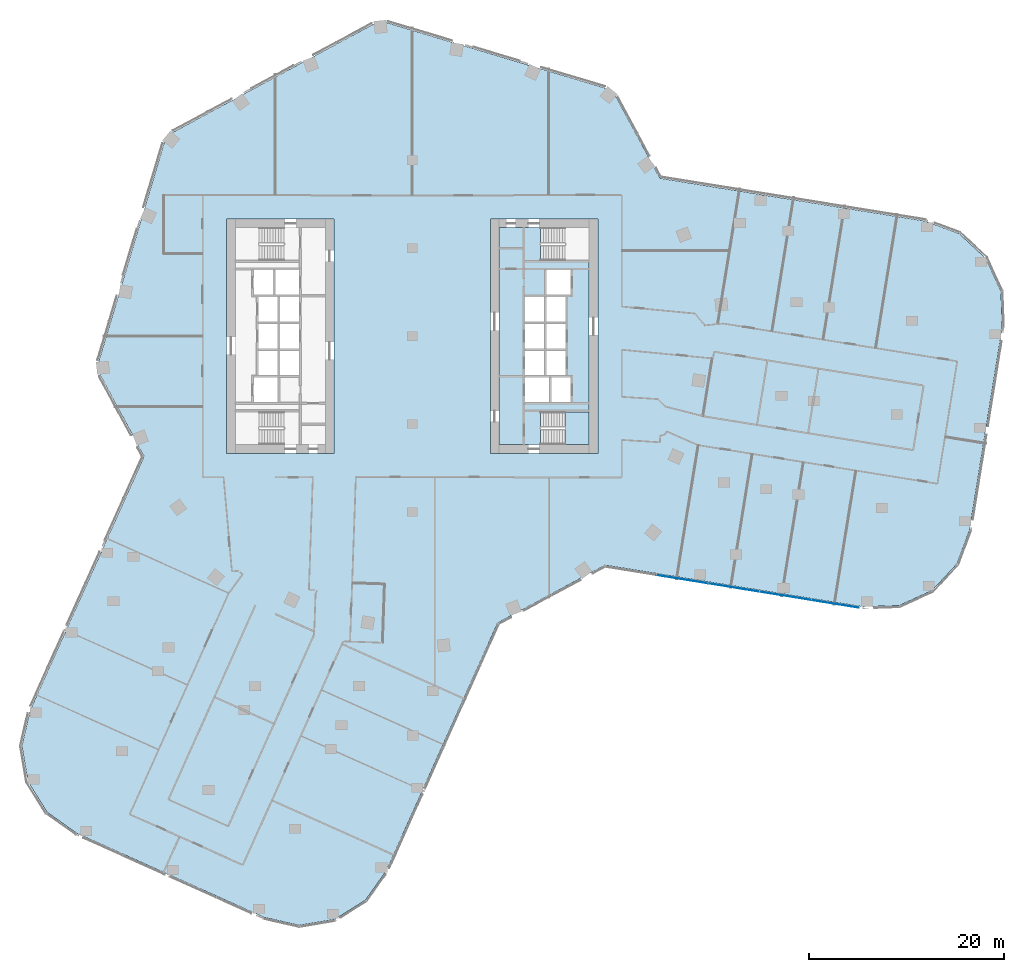
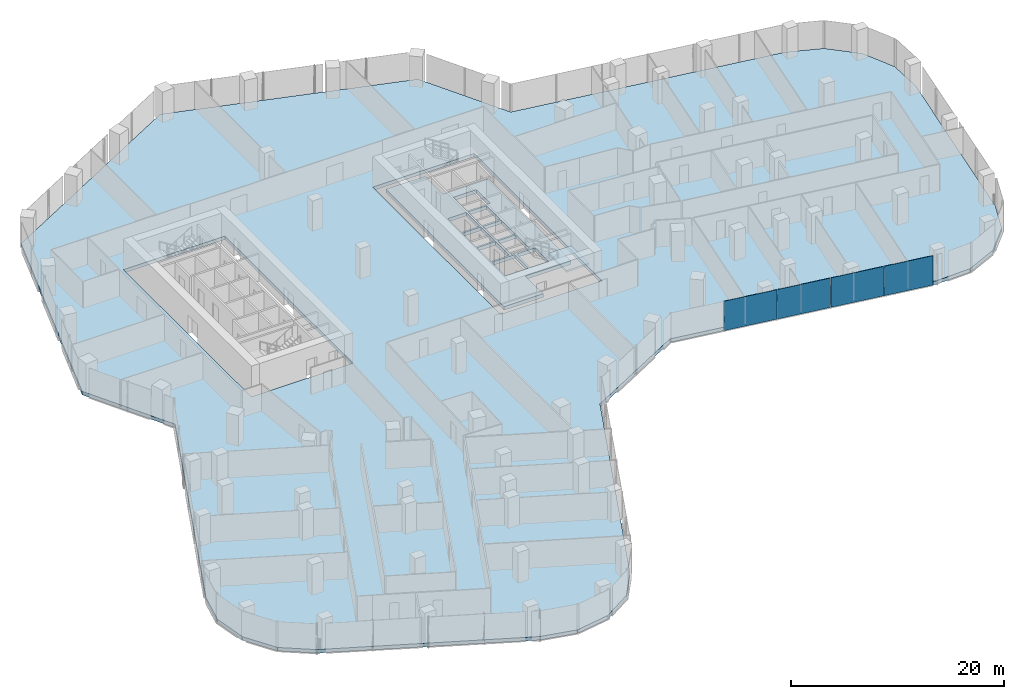
# One storey, part 21 of 34: 4 plates, 3 slabs, 2 elements without a shape of their own.
"""IFC4 building model written with IfcOpenShell, lengths in metres."""

from ifc_helpers import new_model, si_unit, direction, frame, origin, origin_2d, place, context, subcontext, project, spatial, polyline, rectangle, outline, extrude, material, layer, layer_set, type_object, element, aggregate, save


model = new_model("IFC4")

# Units and contexts
model_context = context("Model", 3, precision=1e-05, world=origin(), true_north=direction((0.0, 1.0)))
body_context = subcontext(model_context, "Body", "Model", "MODEL_VIEW")
ifc_project = project(units=[si_unit("LENGTHUNIT", "METRE"), si_unit("AREAUNIT", "SQUARE_METRE"), si_unit("VOLUMEUNIT", "CUBIC_METRE"), si_unit("PLANEANGLEUNIT", "RADIAN"), si_unit("MASSUNIT", "GRAM", prefix="KILO")], contexts=[model_context])

# Site, building, storey
site_placement = place(None, origin())
site = spatial("IfcSite", under=ifc_project, at=site_placement, CompositionType="ELEMENT")
building_placement = place(site_placement, origin())
building = spatial("IfcBuilding", under=site, at=building_placement, Name="Orlundy Tower", CompositionType="ELEMENT")
storey_placement = place(building_placement, frame((0.0, 0.0, 127.199951171875)))
storey = spatial("IfcBuildingStorey", under=building, at=storey_placement, Name="L32", CompositionType="ELEMENT", Elevation=127.199951171875)

# Curtain wall, plates
ifc_material_1 = material(Name="Aluminium bronze anodised", Category="aluminium")
curtain_wall_type = type_object("IfcCurtainWallType", Name="CW1 wall", PredefinedType="NOTDEFINED", material=ifc_material_1)
curtain_wall_placement = place(storey_placement, origin())
curtain_wall = element("IfcCurtainWall", 1, at=curtain_wall_placement, inside=storey, type_object=curtain_wall_type, Name="CW1 run 016", PredefinedType="NOTDEFINED")
ifc_material_2 = material(Name="Tinted glass", Category="glass")
ifc_layer_1 = layer(ifc_material_2, 0.031982421875)
ifc_layer_set_1 = layer_set([ifc_layer_1], Name="CW1 glass panel 32")
plate_type = type_object("IfcPlateType", Name="CW1 glass panel 32", PredefinedType="CURTAIN_PANEL", material=ifc_layer_set_1)
plate_1_placement = place(storey_placement, frame((43.31005859375, -27.413818359375, -0.27978515625), z_axis=(0.0, 0.0, 1.0), x_axis=(-0.987228432558, 0.159311085453, 0.0)))
plate_1 = element("IfcPlate", 2, at=plate_1_placement, type_object=plate_type, Name="CW1 panel", PredefinedType="CURTAIN_PANEL", context=body_context, shape_type="SweptSolid", body=[
    extrude(rectangle(XDim=4.91259765625, YDim=0.031982421875, at=origin_2d()), origin(), (0.0, 0.0, 1.0), 3.3798828125),
])
plate_2_placement = place(storey_placement, frame((38.21630859375, -26.591796875, -0.27978515625), z_axis=(0.0, 0.0, 1.0), x_axis=(-0.987228432558, 0.159311085453, 0.0)))
plate_2 = element("IfcPlate", 3, at=plate_2_placement, type_object=plate_type, Name="CW1 panel", PredefinedType="CURTAIN_PANEL", context=body_context, shape_type="SweptSolid", body=[
    extrude(rectangle(XDim=5.306884765625, YDim=0.031982421875, at=origin_2d()), origin(), (0.0, 0.0, 1.0), 3.3798828125),
])
plate_3_placement = place(storey_placement, frame((32.927978515625, -25.738525390625, -0.27978515625), z_axis=(0.0, 0.0, 1.0), x_axis=(-0.987228432558, 0.159311085453, 0.0)))
plate_3 = element("IfcPlate", 4, at=plate_3_placement, type_object=plate_type, Name="CW1 panel", PredefinedType="CURTAIN_PANEL", context=body_context, shape_type="SweptSolid", body=[
    extrude(rectangle(XDim=5.306884765625, YDim=0.031982421875, at=origin_2d()), origin(), (0.0, 0.0, 1.0), 3.3798828125),
])
plate_4_placement = place(storey_placement, frame((27.639404296875, -24.885009765625, -0.27978515625), z_axis=(0.0, 0.0, 1.0), x_axis=(-0.987228432558, 0.159311085453, 0.0)))
plate_4 = element("IfcPlate", 5, at=plate_4_placement, type_object=plate_type, Name="CW1 panel", PredefinedType="CURTAIN_PANEL", context=body_context, shape_type="SweptSolid", body=[
    extrude(rectangle(XDim=5.306884765625, YDim=0.031982421875, at=origin_2d()), origin(), (0.0, 0.0, 1.0), 3.3798828125),
])
aggregate(curtain_wall, [plate_1, plate_2, plate_3, plate_4])

# Slab
ifc_material_3 = material(Name="Concrete C50/60", Category="concrete")
ifc_layer_2 = layer(ifc_material_3, 0.409912109375)
ifc_layer_set_2 = layer_set([ifc_layer_2], Name="Core Floor Slab 410")
slab_type_1 = type_object("IfcSlabType", Name="Core Floor Slab 410", PredefinedType="FLOOR", material=ifc_layer_set_2)
slab_1_placement = place(storey_placement, frame((0.0, 0.0, -0.409912109375)))
element("IfcSlab", 6, at=slab_1_placement, inside=storey, type_object=slab_type_1, Name="Core floor E25", PredefinedType="FLOOR", context=body_context, shape_type="SweptSolid", body=[
    extrude(outline(polyline([(13.14501953125, -7.75), (13.14501953125, -11.10009765625), (8.89990234375, -11.10009765625), (8.89990234375, 11.10009765625), (13.14501953125, 11.10009765625), (13.14501953125, 7.75), (18.10009765625, 7.75), (18.10009765625, -7.75), (13.14501953125, -7.75)]), holes=[polyline([(16.239990234375, 6.77490234375), (13.739990234375, 6.77490234375), (13.739990234375, 4.22509765625), (16.239990234375, 4.22509765625), (16.239990234375, 6.77490234375)]), polyline([(13.5400390625, 1.47509765625), (13.5400390625, 4.02490234375), (11.5400390625, 4.02490234375), (11.5400390625, 1.47509765625), (13.5400390625, 1.47509765625)]), polyline([(13.739990234375, 1.47509765625), (15.739990234375, 1.47509765625), (15.739990234375, 4.02490234375), (13.739990234375, 4.02490234375), (13.739990234375, 1.47509765625)]), polyline([(11.5400390625, 1.27490234375), (11.5400390625, -1.27490234375), (13.5400390625, -1.27490234375), (13.5400390625, 1.27490234375), (11.5400390625, 1.27490234375)]), polyline([(15.739990234375, 1.27490234375), (13.739990234375, 1.27490234375), (13.739990234375, -1.27490234375), (15.739990234375, -1.27490234375), (15.739990234375, 1.27490234375)]), polyline([(13.5400390625, -4.02490234375), (13.5400390625, -1.47509765625), (11.5400390625, -1.47509765625), (11.5400390625, -4.02490234375), (13.5400390625, -4.02490234375)]), polyline([(13.739990234375, -4.02490234375), (15.739990234375, -4.02490234375), (15.739990234375, -1.47509765625), (13.739990234375, -1.47509765625), (13.739990234375, -4.02490234375)]), polyline([(11.5400390625, -4.22509765625), (11.5400390625, -6.77490234375), (14.0400390625, -6.77490234375), (14.0400390625, -4.22509765625), (11.5400390625, -4.22509765625)]), polyline([(16.239990234375, -4.22509765625), (14.239990234375, -4.22509765625), (14.239990234375, -6.77490234375), (16.239990234375, -6.77490234375), (16.239990234375, -4.22509765625)])]), origin(), (0.0, 0.0, 1.0), 0.409912109375),
])

# Stair, slab
ifc_material_4 = material(Name="Concrete C50/60", Category="concrete")
stair_type = type_object("IfcStairType", Name="Exit Stair 20 risers", PredefinedType="HALF_TURN_STAIR", material=ifc_material_4)
stair_placement = place(storey_placement, origin())
stair = element("IfcStair", 7, at=stair_placement, inside=storey, type_object=stair_type, Name="L32 Exit Stair ST-E1", PredefinedType="HALF_TURN_STAIR")
ifc_material_5 = material(Name="Concrete C50/60", Category="concrete")
ifc_layer_3 = layer(ifc_material_5, 0.199951171875)
ifc_layer_set_3 = layer_set([ifc_layer_3], Name="Exit Stair Landing")
slab_type_2 = type_object("IfcSlabType", Name="Exit Stair Landing", PredefinedType="LANDING", material=ifc_layer_set_3)
slab_2_placement = place(storey_placement, frame((0.0, 0.0, 1.550048828125)))
slab_2 = element("IfcSlab", 8, at=slab_2_placement, type_object=slab_type_2, Name="ST-E1 landing 1", PredefinedType="LANDING", context=body_context, shape_type="SweptSolid", body=[
    extrude(outline(polyline([(15.659912109375, -11.10009765625), (18.10009765625, -11.10009765625), (18.10009765625, -7.75), (15.659912109375, -7.75), (15.659912109375, -11.10009765625)])), origin(), (0.0, 0.0, 1.0), 0.199951171875),
])
aggregate(stair, [slab_2])

# Slab
ifc_material_6 = material(Name="Concrete C45/55", Category="concrete")
ifc_layer_4 = layer(ifc_material_6, 0.39990234375)
ifc_layer_set_4 = layer_set([ifc_layer_4], Name="FLOOR SLAB THICK 400 C45/55")
slab_type_3 = type_object("IfcSlabType", Name="FLOOR SLAB THICK 400 C45/55", PredefinedType="FLOOR", material=ifc_layer_set_4)
slab_3_placement = place(storey_placement, frame((0.0, 0.0, -0.39990234375)))
element("IfcSlab", 9, at=slab_3_placement, inside=storey, type_object=slab_type_3, Name="Floor slab L32", PredefinedType="FLOOR", context=body_context, shape_type="SweptSolid", body=[
    extrude(outline(polyline([(-27.445068359375, -12.31103515625), (-32.303955078125, -3.300048828125), (-25.176025390625, 20.508056640625), (-3.300048828125, 32.303955078125), (20.508056640625, 25.176025390625), (25.366943359375, 16.1650390625), (52.548095703125, 11.779052734375), (56.02099609375, 10.486083984375), (58.736083984375, 7.9619140625), (60.278076171875, 4.591064453125), (60.4130859375, 0.886962890625), (57.06689453125, -19.844970703125), (55.77392578125, -23.319091796875), (53.25, -26.032958984375), (49.8798828125, -27.574951171875), (46.175048828125, -27.7099609375), (19.73291015625, -23.443115234375), (8.742919921875, -29.368896484375), (-2.632080078125, -54.718017578125), (-4.780029296875, -57.739013671875), (-7.9208984375, -59.7080078125), (-11.575927734375, -60.324951171875), (-15.18798828125, -59.49609375), (-34.347900390625, -50.89892578125), (-37.368896484375, -48.7509765625), (-39.337890625, -45.610107421875), (-39.955078125, -41.955078125), (-39.1259765625, -38.342041015625), (-27.445068359375, -12.31103515625)]), holes=[polyline([(-8.0, -12.0), (-8.0, 12.0), (-19.0, 12.0), (-19.0, -12.0), (-8.0, -12.0)]), polyline([(19.0, -12.0), (19.0, 12.0), (8.0, 12.0), (8.0, -12.0), (19.0, -12.0)])]), origin(), (0.0, 0.0, 1.0), 0.39990234375),
])

save(model, "model.ifc")
